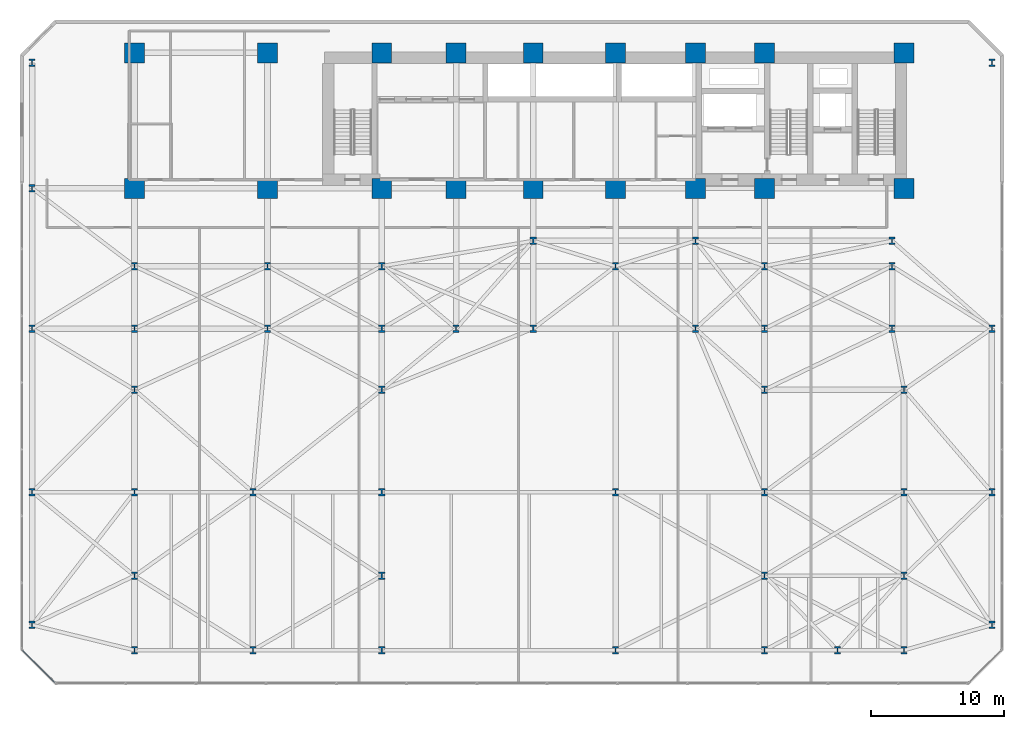
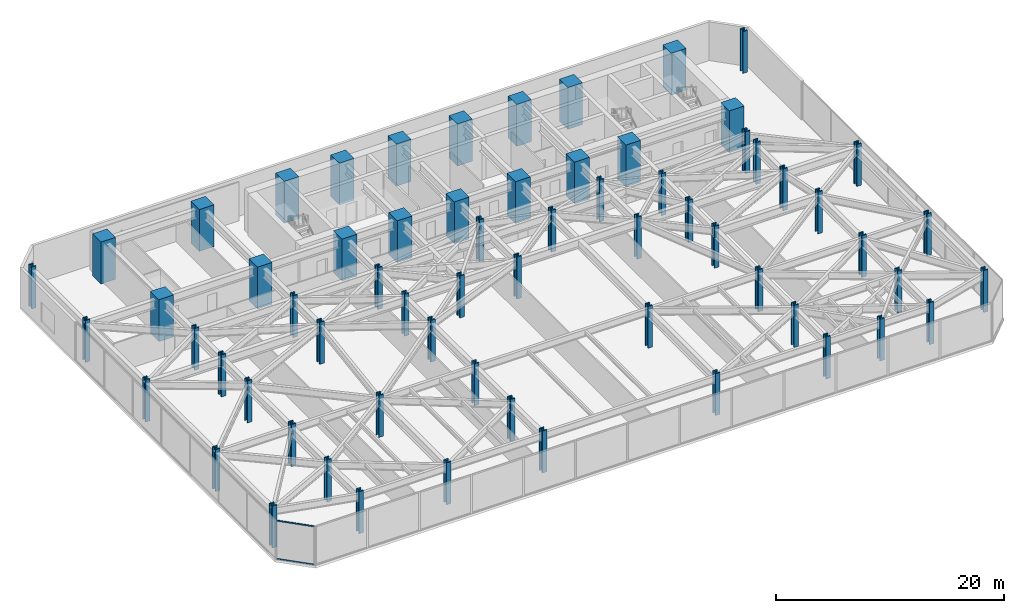
# One storey, part 1 of 30: 65 columns, 2 members, 1 element without a shape of its own.
"""IFC4 building model written with IfcOpenShell, lengths in metres."""

from ifc_helpers import new_model, si_unit, direction, frame, origin, origin_2d, place, context, subcontext, project, spatial, rectangle, hollow_rectangle, i_section, extrude, material, layer, layer_set, material_profile, profile_set, type_object, element, aggregate, save


model = new_model("IFC4")

# Units and contexts
model_context = context("Model", 3, precision=1e-05, world=origin(), true_north=direction((0.0, 1.0)))
body_context = subcontext(model_context, "Body", "Model", "MODEL_VIEW")
ifc_project = project(units=[si_unit("LENGTHUNIT", "METRE"), si_unit("AREAUNIT", "SQUARE_METRE"), si_unit("VOLUMEUNIT", "CUBIC_METRE"), si_unit("PLANEANGLEUNIT", "RADIAN"), si_unit("MASSUNIT", "GRAM", prefix="KILO")], contexts=[model_context])

# Site, building, storey
site_placement = place(None, origin())
site = spatial("IfcSite", under=ifc_project, at=site_placement, CompositionType="ELEMENT")
building_placement = place(site_placement, origin())
building = spatial("IfcBuilding", under=site, at=building_placement, Name="Kravanh Interchange Tower", CompositionType="ELEMENT")
storey_placement = place(building_placement, frame((0.0, 0.0, 19.800048828125)))
storey = spatial("IfcBuildingStorey", under=building, at=storey_placement, Name="L04", CompositionType="ELEMENT", Elevation=19.800048828125)

# Columns
ifc_material_1 = material(Name="Concrete C80/95", Category="concrete")
ifc_material_profile_1 = material_profile(ifc_material_1, rectangle(XDim=1.5, YDim=1.5, at=origin_2d()), Name="RC1500X1500")
ifc_profile_set_1 = profile_set([ifc_material_profile_1], Name="Concrete C80/95")
column_type_1 = type_object("IfcColumnType", Name="Column RC1500X1500 Concrete C80/95", PredefinedType="COLUMN", material=ifc_profile_set_1)
for number, where, z_axis, x_axis, name in (
    (1, (66.5, 47.550048828125, 0.0), (0.0, 0.0, 1.0), (1.0, 0.0, 0.0), "L04 Column CS01"),
    (2, (56.0, 47.550048828125, 0.0), (0.0, 0.0, 1.0), (1.0, 0.0, 0.0), "L04 Column CS02"),
    (3, (66.5, 37.35009765625, 0.0), (0.0, 0.0, 1.0), (1.0, 0.0, 0.0), "L04 Column CS03"),
    (4, (56.0, 37.35009765625, 0.0), (0.0, 0.0, 1.0), (1.0, 0.0, 0.0), "L04 Column CS04"),
    (5, (50.800048828125, 47.550048828125, 0.0), (0.0, 0.0, 1.0), (1.0, 0.0, 0.0), "L04 Column CS05"),
    (6, (50.800048828125, 37.35009765625, 0.0), (0.0, 0.0, 1.0), (1.0, 0.0, 0.0), "L04 Column CS06"),
    (7, (44.800048828125, 37.35009765625, 0.0), (0.0, 0.0, 1.0), (1.0, 0.0, 0.0), "L04 Column CS07"),
    (8, (44.800048828125, 47.550048828125, 0.0), (0.0, 0.0, 1.0), (1.0, 0.0, 0.0), "L04 Column CS08"),
    (9, (38.60009765625, 37.35009765625, 0.0), (0.0, 0.0, 1.0), (1.0, 0.0, 0.0), "L04 Column CS09"),
    (10, (38.60009765625, 47.550048828125, 0.0), (0.0, 0.0, 1.0), (1.0, 0.0, 0.0), "L04 Column CS10"),
    (11, (32.800048828125, 37.35009765625, 0.0), (0.0, 0.0, 1.0), (1.0, 0.0, 0.0), "L04 Column CS11"),
    (12, (32.800048828125, 47.550048828125, 0.0), (0.0, 0.0, 1.0), (1.0, 0.0, 0.0), "L04 Column CS12"),
    (13, (27.199951171875, 37.35009765625, 0.0), (0.0, 0.0, 1.0), (1.0, 0.0, 0.0), "L04 Column CS13"),
    (14, (27.199951171875, 47.550048828125, 0.0), (0.0, 0.0, 1.0), (1.0, 0.0, 0.0), "L04 Column CS14"),
    (15, (18.60009765625, 37.35009765625, 0.0), (0.0, 0.0, 1.0), (1.0, 0.0, 0.0), "L04 Column CS17"),
    (16, (18.60009765625, 47.550048828125, 0.0), (0.0, 0.0, 1.0), (1.0, 0.0, 0.0), "L04 Column CS18"),
    (17, (8.60009765625, 37.35009765625, 0.0), (0.0, 0.0, 1.0), (1.0, 0.0, 0.0), "L04 Column CS23"),
    (18, (8.60009765625, 47.550048828125, 0.0), (0.0, 0.0, 1.0), (1.0, 0.0, 0.0), "L04 Column CS24"),
):
    element("IfcColumn", number, at=place(storey_placement, frame(where, z_axis=z_axis, x_axis=x_axis)), inside=storey, type_object=column_type_1, Name=name, PredefinedType="COLUMN", context=body_context, shape_type="SweptSolid", body=[
        extrude(rectangle(XDim=1.5, YDim=1.5, at=origin_2d()), origin(), (0.0, 0.0, 1.0), 4.5),
    ])
ifc_material_2 = material(Name="Structural Steel S450", Category="steel")
ifc_material_profile_2 = material_profile(ifc_material_2, i_section(OverallWidth=0.4541015625, OverallDepth=0.569091796875, WebThickness=0.077880859375, FlangeThickness=0.124755859375, FilletRadius=0.030029296875, at=origin_2d()), Name="W14X730")
ifc_profile_set_2 = profile_set([ifc_material_profile_2], Name="Structural Steel S450")
column_type_2 = type_object("IfcColumnType", Name="Column W14X730 Structural Steel S450", PredefinedType="COLUMN", material=ifc_profile_set_2)
for number, where, z_axis, x_axis, name in (
    (19, (8.60009765625, 2.60009765625, 0.0), (0.0, 0.0, 1.0), (1.0, 0.0, 0.0), "L04 Column CP01"),
    (20, (17.5, 2.60009765625, 0.0), (0.0, 0.0, 1.0), (1.0, 0.0, 0.0), "L04 Column CP02"),
    (21, (27.199951171875, 2.60009765625, 0.0), (0.0, 0.0, 1.0), (1.0, 0.0, 0.0), "L04 Column CP03"),
    (22, (44.800048828125, 2.60009765625, 0.0), (0.0, 0.0, 1.0), (1.0, 0.0, 0.0), "L04 Column CP04"),
    (23, (56.0, 2.60009765625, 0.0), (0.0, 0.0, 1.0), (1.0, 0.0, 0.0), "L04 Column CP05"),
    (24, (61.5, 2.60009765625, 0.0), (0.0, 0.0, 1.0), (1.0, 0.0, 0.0), "L04 Column CP05B"),
    (25, (66.5, 2.60009765625, 0.0), (0.0, 0.0, 1.0), (1.0, 0.0, 0.0), "L04 Column CP06"),
    (26, (8.60009765625, 8.199951171875, 0.0), (0.0, 0.0, 1.0), (1.0, 0.0, 0.0), "L04 Column CP06B"),
    (27, (27.199951171875, 8.199951171875, 0.0), (0.0, 0.0, 1.0), (1.0, 0.0, 0.0), "L04 Column CP06C"),
    (28, (56.0, 8.199951171875, 0.0), (0.0, 0.0, 1.0), (1.0, 0.0, 0.0), "L04 Column CP06D"),
    (29, (66.5, 8.199951171875, 0.0), (0.0, 0.0, 1.0), (1.0, 0.0, 0.0), "L04 Column CP06E"),
    (30, (8.60009765625, 14.5, 0.0), (0.0, 0.0, 1.0), (1.0, 0.0, 0.0), "L04 Column CP07"),
    (31, (17.5, 14.5, 0.0), (0.0, 0.0, 1.0), (1.0, 0.0, 0.0), "L04 Column CP08"),
    (32, (27.199951171875, 14.5, 0.0), (0.0, 0.0, 1.0), (1.0, 0.0, 0.0), "L04 Column CP09"),
    (33, (44.800048828125, 14.5, 0.0), (0.0, 0.0, 1.0), (1.0, 0.0, 0.0), "L04 Column CP10"),
    (34, (56.0, 14.5, 0.0), (0.0, 0.0, 1.0), (1.0, 0.0, 0.0), "L04 Column CP11"),
    (35, (66.5, 14.5, 0.0), (0.0, 0.0, 1.0), (1.0, 0.0, 0.0), "L04 Column CP12"),
    (36, (8.60009765625, 22.199951171875, 0.0), (0.0, 0.0, 1.0), (1.0, 0.0, 0.0), "L04 Column CP12B"),
    (37, (27.199951171875, 22.199951171875, 0.0), (0.0, 0.0, 1.0), (1.0, 0.0, 0.0), "L04 Column CP12C"),
    (38, (56.0, 22.199951171875, 0.0), (0.0, 0.0, 1.0), (1.0, 0.0, 0.0), "L04 Column CP12D"),
    (39, (66.5, 22.199951171875, 0.0), (0.0, 0.0, 1.0), (1.0, 0.0, 0.0), "L04 Column CP12E"),
    (40, (8.60009765625, 26.800048828125, 0.0), (0.0, 0.0, 1.0), (1.0, 0.0, 0.0), "L04 Column CP13"),
    (41, (18.60009765625, 26.800048828125, 0.0), (0.0, 0.0, 1.0), (1.0, 0.0, 0.0), "L04 Column CP14"),
    (42, (27.199951171875, 26.800048828125, 0.0), (0.0, 0.0, 1.0), (1.0, 0.0, 0.0), "L04 Column CP15"),
    (43, (32.800048828125, 26.800048828125, 0.0), (0.0, 0.0, 1.0), (1.0, 0.0, 0.0), "L04 Column CP16"),
    (44, (38.60009765625, 26.800048828125, 0.0), (0.0, 0.0, 1.0), (1.0, 0.0, 0.0), "L04 Column CP16B"),
    (45, (50.800048828125, 26.800048828125, 0.0), (0.0, 0.0, 1.0), (1.0, 0.0, 0.0), "L04 Column CP17"),
    (46, (56.0, 26.800048828125, 0.0), (0.0, 0.0, 1.0), (1.0, 0.0, 0.0), "L04 Column CP18"),
    (47, (65.60009765625, 26.800048828125, 0.0), (0.0, 0.0, 1.0), (1.0, 0.0, 0.0), "L04 Column CP19"),
    (48, (8.60009765625, 31.5, 0.0), (0.0, 0.0, 1.0), (1.0, 0.0, 0.0), "L04 Column CP19B"),
    (49, (18.60009765625, 31.5, 0.0), (0.0, 0.0, 1.0), (1.0, 0.0, 0.0), "L04 Column CP20"),
    (50, (27.199951171875, 31.5, 0.0), (0.0, 0.0, 1.0), (1.0, 0.0, 0.0), "L04 Column CP21"),
    (51, (44.800048828125, 31.5, 0.0), (0.0, 0.0, 1.0), (1.0, 0.0, 0.0), "L04 Column CP22"),
    (52, (56.0, 31.5, 0.0), (0.0, 0.0, 1.0), (1.0, 0.0, 0.0), "L04 Column CP23"),
    (53, (65.60009765625, 31.5, 0.0), (0.0, 0.0, 1.0), (1.0, 0.0, 0.0), "L04 Column CP24"),
    (54, (0.89990234375, 4.5, 0.0), (0.0, 0.0, 1.0), (1.0, 0.0, 0.0), "L04 Column CP25"),
    (55, (0.89990234375, 14.5, 0.0), (0.0, 0.0, 1.0), (1.0, 0.0, 0.0), "L04 Column CP25B"),
    (56, (0.89990234375, 26.800048828125, 0.0), (0.0, 0.0, 1.0), (1.0, 0.0, 0.0), "L04 Column CP25C"),
    (57, (0.89990234375, 37.35009765625, 0.0), (0.0, 0.0, 1.0), (1.0, 0.0, 0.0), "L04 Column CP25D"),
    (58, (0.89990234375, 46.800048828125, 0.0), (0.0, 0.0, 1.0), (1.0, 0.0, 0.0), "L04 Column CP26"),
    (59, (73.10009765625, 4.5, 0.0), (0.0, 0.0, 1.0), (1.0, 0.0, 0.0), "L04 Column CP27"),
    (60, (73.10009765625, 14.5, 0.0), (0.0, 0.0, 1.0), (1.0, 0.0, 0.0), "L04 Column CP27B"),
    (61, (73.10009765625, 26.800048828125, 0.0), (0.0, 0.0, 1.0), (1.0, 0.0, 0.0), "L04 Column CP27C"),
    (62, (73.10009765625, 46.800048828125, 0.0), (0.0, 0.0, 1.0), (1.0, 0.0, 0.0), "L04 Column CP28"),
    (63, (38.60009765625, 33.39990234375, 0.0), (0.0, 0.0, 1.0), (1.0, 0.0, 0.0), "L04 Column CP_M1"),
    (64, (50.800048828125, 33.39990234375, 0.0), (0.0, 0.0, 1.0), (1.0, 0.0, 0.0), "L04 Column CP_M2"),
    (65, (65.60009765625, 33.39990234375, 0.0), (0.0, 0.0, 1.0), (1.0, 0.0, 0.0), "L04 Column CP_M3"),
):
    element("IfcColumn", number, at=place(storey_placement, frame(where, z_axis=z_axis, x_axis=x_axis)), inside=storey, type_object=column_type_2, Name=name, PredefinedType="COLUMN", context=body_context, shape_type="SweptSolid", body=[
        extrude(i_section(OverallWidth=0.4541015625, OverallDepth=0.569091796875, WebThickness=0.077880859375, FlangeThickness=0.124755859375, FilletRadius=0.030029296875, at=origin_2d()), origin(), (0.0, 0.0, 1.0), 4.5),
    ])

# Curtain wall, members
ifc_material_3 = material(Name="Anodised Bronze Aluminium", Category="aluminium")
ifc_layer = layer(ifc_material_3, 0.179931640625)
ifc_layer_set = layer_set([ifc_layer], Name="Unitised Curtain Wall System CW-POD Podium Concourse")
curtain_wall_type = type_object("IfcCurtainWallType", Name="Unitised Curtain Wall System CW-POD Podium Concourse", PredefinedType="NOTDEFINED", material=ifc_layer_set)
curtain_wall_placement = place(storey_placement, origin())
curtain_wall = element("IfcCurtainWall", 66, at=curtain_wall_placement, inside=storey, type_object=curtain_wall_type, Name="L04 Unitised Curtain Wall CW-L04-05", PredefinedType="NOTDEFINED")
ifc_material_4 = material(Name="Anodised Bronze Aluminium", Category="aluminium")
ifc_material_profile_3 = material_profile(ifc_material_4, hollow_rectangle(XDim=0.06005859375, YDim=0.139892578125, WallThickness=0.00390625, at=origin_2d()), Name="ALU60X140X4")
ifc_profile_set_3 = profile_set([ifc_material_profile_3], Name="Anodised Bronze Aluminium")
member_type = type_object("IfcMemberType", Name="Curtain Wall Transom ALU60X140X4 Bronze", PredefinedType="USERDEFINED", material=ifc_profile_set_3)
member_1_placement = place(storey_placement, frame((2.60009765625, 0.16943359375, 0.030029296875), z_axis=(-0.707106781187, 0.707106781187, 0.0), x_axis=(-0.707106781187, -0.707106781187, 0.0)))
member_1 = element("IfcMember", 67, at=member_1_placement, type_object=member_type, Name="CW-POD transom 1.1", ObjectType="TRANSOM", PredefinedType="USERDEFINED", context=body_context, shape_type="SweptSolid", body=[
    extrude(hollow_rectangle(XDim=0.06005859375, YDim=0.139892578125, WallThickness=0.00390625, at=origin_2d()), origin(), (0.0, 0.0, 1.0), 3.4375),
])
member_2_placement = place(storey_placement, frame((2.60009765625, 0.16943359375, 4.119873046875), z_axis=(-0.707106781187, 0.707106781187, 0.0), x_axis=(-0.707106781187, -0.707106781187, 0.0)))
member_2 = element("IfcMember", 68, at=member_2_placement, type_object=member_type, Name="CW-POD transom 1.2", ObjectType="TRANSOM", PredefinedType="USERDEFINED", context=body_context, shape_type="SweptSolid", body=[
    extrude(hollow_rectangle(XDim=0.06005859375, YDim=0.139892578125, WallThickness=0.00390625, at=origin_2d()), origin(), (0.0, 0.0, 1.0), 3.4375),
])
aggregate(curtain_wall, [member_1, member_2])

save(model, "model.ifc")
